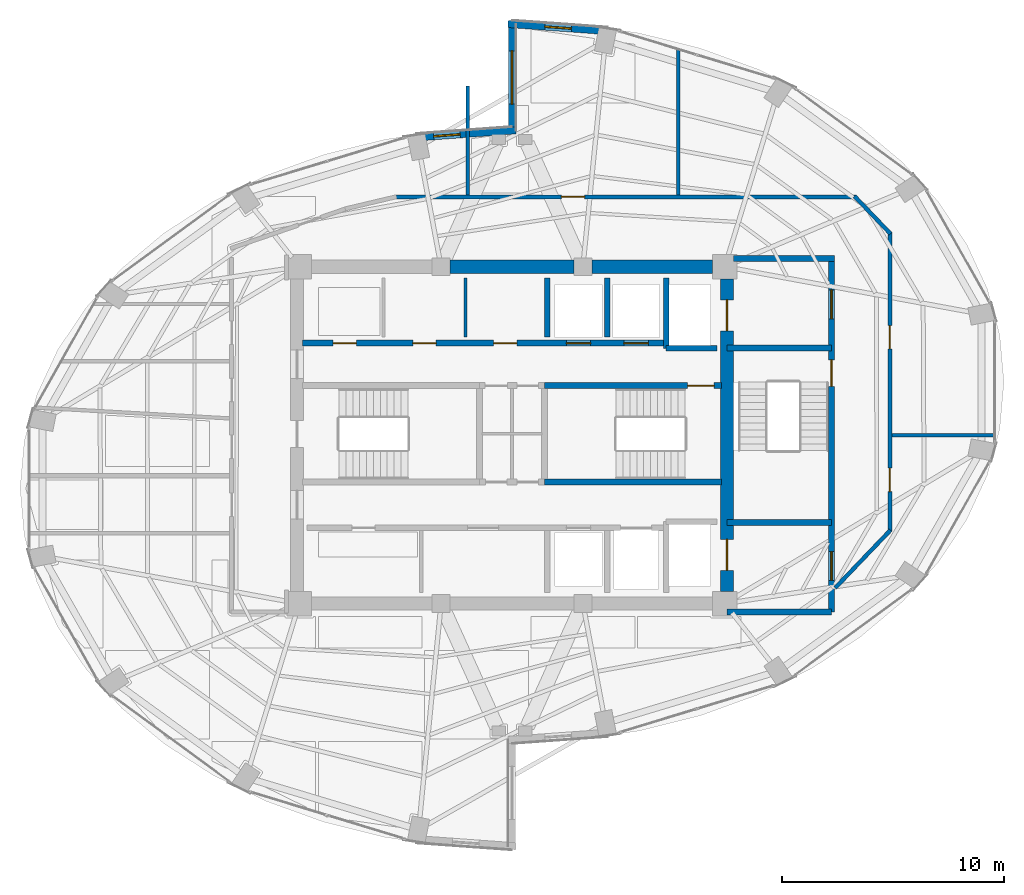
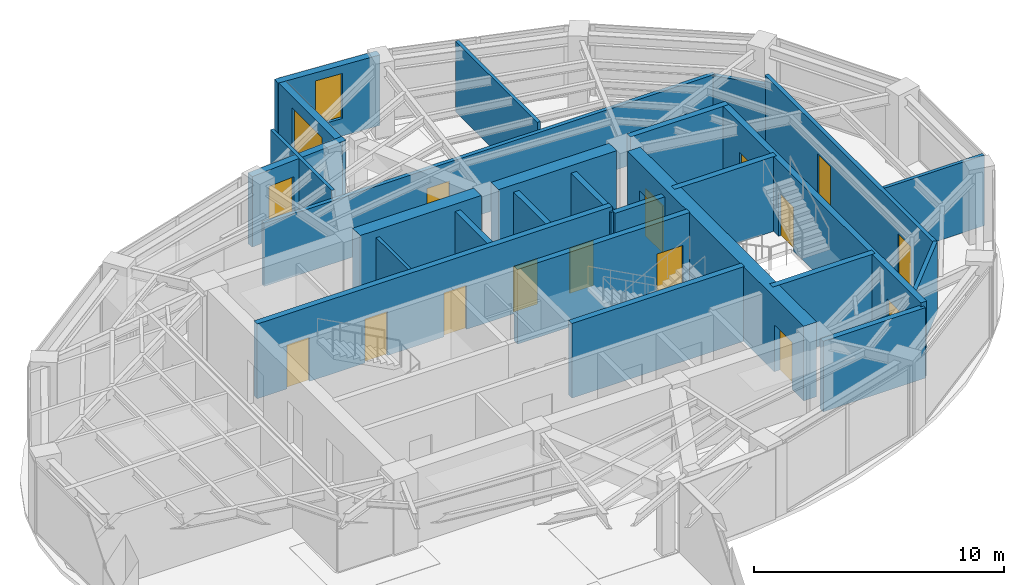
# One storey, part 20 of 23: 26 walls, 14 doors, 3 windows, 17 openings.
"""IFC4 building model written with IfcOpenShell, lengths in metres."""

from ifc_helpers import new_model, si_unit, direction, frame, frame_2d, origin, place, context, subcontext, project, spatial, rectangle, extrude, material, layer, layer_set, type_object, element, fill, save


model = new_model("IFC4")

# Units and contexts
model_context = context("Model", 3, precision=1e-05, world=origin(), true_north=direction((0.0, 1.0)))
body_context = subcontext(model_context, "Body", "Model", "MODEL_VIEW")
ifc_project = project(units=[si_unit("LENGTHUNIT", "METRE"), si_unit("AREAUNIT", "SQUARE_METRE"), si_unit("VOLUMEUNIT", "CUBIC_METRE"), si_unit("PLANEANGLEUNIT", "RADIAN"), si_unit("MASSUNIT", "GRAM", prefix="KILO")], contexts=[model_context])

# Site, building, storey
site_placement = place(None, origin())
site = spatial("IfcSite", under=ifc_project, at=site_placement, CompositionType="ELEMENT")
building_placement = place(site_placement, origin())
building = spatial("IfcBuilding", under=site, at=building_placement, Name="Lazwardi Medical Tower", CompositionType="ELEMENT")
storey_placement = place(building_placement, frame((0.0, 0.0, 213.072021484375)))
storey = spatial("IfcBuildingStorey", under=building, at=storey_placement, Name="L55", CompositionType="ELEMENT", Elevation=213.072021484375)

# Wall, opening, door
ifc_material_1 = material(Name="Fire-rated gypsum board on steel stud", Category="steel")
ifc_layer_1 = layer(ifc_material_1, 0.179931640625)
ifc_layer_set_1 = layer_set([ifc_layer_1], Name="Fire-rated gypsum board on steel stud")
wall_type_1 = type_object("IfcWallType", Name="WL-COR-180", PredefinedType="PARTITIONING", material=ifc_layer_set_1)
wall_1_placement = place(storey_placement, frame((30.709716796875, 38.75, 0.0), z_axis=(0.0, 0.0, 1.0), x_axis=(1.0, 0.0, 0.0)))
wall_1 = element("IfcWall", 1, at=wall_1_placement, inside=storey, type_object=wall_type_1, Name="L55 Corridor partition 3", PredefinedType="PARTITIONING", context=body_context, shape_type="SweptSolid", body=[
    extrude(rectangle(XDim=20.8154296875, YDim=0.179931640625, at=frame_2d((10.40771484375, 0.0))), origin(), (0.0, 0.0, 1.0), 3.072998046875),
])
opening_1_placement = place(wall_1_placement, frame((7.51513671875, 0.0, 0.0)))
opening_1 = element("IfcOpeningElement", 2, at=opening_1_placement, cuts=wall_1, Name="Opening D-L55-018", PredefinedType="OPENING", context=body_context, shape_type="SweptSolid", body=[
    extrude(rectangle(XDim=1.050048828125, YDim=2.14990234375, at=frame_2d((0.52490234375, 1.074951171875))), frame((0.0, 0.099853515625, 0.0), z_axis=(0.0, -1.0, 0.0), x_axis=(1.0, 0.0, 0.0)), (0.0, 0.0, 1.0), 0.199951171875),
])
ifc_material_2 = material(Name="Anti-microbial laminate hospital leaf")
door_type_1 = type_object("IfcDoorType", Name="DR-CLN-1050", OperationType="NOTDEFINED", PredefinedType="DOOR", material=ifc_material_2)
door_1_placement = place(opening_1_placement, origin())
door_1 = element("IfcDoor", 3, at=door_1_placement, inside=storey, type_object=door_type_1, Name="L55 Outpatient Consultation Suite Door 05", OperationType="SINGLE_SWING_LEFT", OverallHeight=2.14990234375, OverallWidth=1.050048828125, PredefinedType="DOOR", context=body_context, shape_type="SweptSolid", body=[
    extrude(rectangle(XDim=1.050048828125, YDim=2.14990234375, at=frame_2d((0.52490234375, 1.074951171875))), frame((0.0, 0.02490234375, 0.0), z_axis=(0.0, -1.0, 0.0), x_axis=(1.0, 0.0, 0.0)), (0.0, 0.0, 1.0), 0.050048828125),
])
fill(opening_1, door_1)

# Wall
wall_2_placement = place(storey_placement, frame((51.45751953125, 38.77880859375, 0.0), z_axis=(0.0, 0.0, 1.0), x_axis=(0.691359830363, -0.722510612352, 0.0)))
element("IfcWall", 4, at=wall_2_placement, inside=storey, type_object=wall_type_1, Name="L55 Corridor partition 4", PredefinedType="PARTITIONING", context=body_context, shape_type="SweptSolid", body=[
    extrude(rectangle(XDim=2.34326171875, YDim=0.179931640625, at=frame_2d((1.171630859375, 0.0))), origin(), (0.0, 0.0, 1.0), 3.032958984375),
])

# Wall, openings, doors
wall_3_placement = place(storey_placement, frame((53.050048828125, 37.154541015625, 0.0), z_axis=(0.0, 0.0, 1.0), x_axis=(0.0, -1.0, 0.0)))
wall_3 = element("IfcWall", 5, at=wall_3_placement, inside=storey, type_object=wall_type_1, Name="L55 Corridor partition 5", PredefinedType="PARTITIONING", context=body_context, shape_type="SweptSolid", body=[
    extrude(rectangle(XDim=13.509033203125, YDim=0.179931640625, at=frame_2d((6.75439453125, 0.0))), origin(), (0.0, 0.0, 1.0), 3.447998046875),
])
opening_2_placement = place(wall_3_placement, frame((10.647705078125, 0.0, 0.0)))
opening_2 = element("IfcOpeningElement", 6, at=opening_2_placement, cuts=wall_3, Name="Opening D-L55-016", PredefinedType="OPENING", context=body_context, shape_type="SweptSolid", body=[
    extrude(rectangle(XDim=1.050048828125, YDim=2.14990234375, at=frame_2d((0.52490234375, 1.074951171875))), frame((0.0, 0.099853515625, 0.0), z_axis=(0.0, -1.0, 0.0), x_axis=(1.0, 0.0, 0.0)), (0.0, 0.0, 1.0), 0.199951171875),
])
opening_3_placement = place(wall_3_placement, frame((4.211181640625, 0.0, 0.0)))
opening_3 = element("IfcOpeningElement", 7, at=opening_3_placement, cuts=wall_3, Name="Opening D-L55-017", PredefinedType="OPENING", context=body_context, shape_type="SweptSolid", body=[
    extrude(rectangle(XDim=1.050048828125, YDim=2.14990234375, at=frame_2d((0.52490234375, 1.074951171875))), frame((0.0, 0.099853515625, 0.0), z_axis=(0.0, -1.0, 0.0), x_axis=(1.0, 0.0, 0.0)), (0.0, 0.0, 1.0), 0.199951171875),
])
door_2_placement = place(opening_2_placement, origin())
door_2 = element("IfcDoor", 8, at=door_2_placement, inside=storey, type_object=door_type_1, Name="L55 Medical Duty Staff Room Door 03", OperationType="SINGLE_SWING_LEFT", OverallHeight=2.14990234375, OverallWidth=1.050048828125, PredefinedType="DOOR", context=body_context, shape_type="SweptSolid", body=[
    extrude(rectangle(XDim=1.050048828125, YDim=2.14990234375, at=frame_2d((0.52490234375, 1.074951171875))), frame((0.0, 0.02490234375, 0.0), z_axis=(0.0, -1.0, 0.0), x_axis=(1.0, 0.0, 0.0)), (0.0, 0.0, 1.0), 0.050048828125),
])
fill(opening_2, door_2)
door_3_placement = place(opening_3_placement, origin())
door_3 = element("IfcDoor", 9, at=door_3_placement, inside=storey, type_object=door_type_1, Name="L55 Clinical Specialist Office Door 04", OperationType="SINGLE_SWING_RIGHT", OverallHeight=2.14990234375, OverallWidth=1.050048828125, PredefinedType="DOOR", context=body_context, shape_type="SweptSolid", body=[
    extrude(rectangle(XDim=1.050048828125, YDim=2.14990234375, at=frame_2d((0.52490234375, 1.074951171875))), frame((0.0, 0.02490234375, 0.0), z_axis=(0.0, -1.0, 0.0), x_axis=(1.0, 0.0, 0.0)), (0.0, 0.0, 1.0), 0.050048828125),
])
fill(opening_3, door_3)

# Wall
wall_4_placement = place(storey_placement, frame((53.07763671875, 23.71435546875, 0.0), z_axis=(0.0, 0.0, 1.0), x_axis=(-0.691353379446, -0.722516785085, 0.0)))
element("IfcWall", 10, at=wall_4_placement, inside=storey, type_object=wall_type_1, Name="L55 Corridor partition 6", PredefinedType="PARTITIONING", context=body_context, shape_type="SweptSolid", body=[
    extrude(rectangle(XDim=3.603759765625, YDim=0.179931640625, at=frame_2d((1.8017578125, 0.0))), origin(), (0.0, 0.0, 1.0), 3.447998046875),
])

# Wall, openings, doors
ifc_material_3 = material(Name="Concrete C60/75", Category="concrete")
ifc_layer_2 = layer(ifc_material_3, 0.60009765625)
ifc_layer_set_2 = layer_set([ifc_layer_2], Name="Concrete C60/75")
wall_type_2 = type_object("IfcWallType", Name="WL-CORE-600", PredefinedType="SHEAR", material=ifc_layer_set_2)
wall_5_placement = place(storey_placement, frame((45.699951171875, 20.949951171875, 0.0), z_axis=(0.0, 0.0, 1.0), x_axis=(0.0, 1.0, 0.0)))
wall_5 = element("IfcWall", 11, at=wall_5_placement, inside=storey, type_object=wall_type_2, Name="Core wall CW-S3 east L55", PredefinedType="SHEAR", context=body_context, shape_type="SweptSolid", body=[
    extrude(rectangle(XDim=14.10009765625, YDim=0.60009765625, at=frame_2d((7.050048828125, 0.0))), origin(), (0.0, 0.0, 1.0), 3.64794921875),
])
opening_4_placement = place(wall_5_placement, frame((11.75, 0.0, 0.0)))
opening_4 = element("IfcOpeningElement", 12, at=opening_4_placement, cuts=wall_5, Name="Opening LD-L55-001", PredefinedType="OPENING", context=body_context, shape_type="SweptSolid", body=[
    extrude(rectangle(XDim=1.39990234375, YDim=2.300048828125, at=frame_2d((0.699951171875, 1.14990234375))), frame((0.0, 0.31005859375, 0.0), z_axis=(0.0, -1.0, 0.0), x_axis=(1.0, 0.0, 0.0)), (0.0, 0.0, 1.0), 0.6201171875),
])
opening_5_placement = place(wall_5_placement, frame((0.949951171875, 0.0, 0.0)))
opening_5 = element("IfcOpeningElement", 13, at=opening_5_placement, cuts=wall_5, Name="Opening LD-L55-002", PredefinedType="OPENING", context=body_context, shape_type="SweptSolid", body=[
    extrude(rectangle(XDim=1.39990234375, YDim=2.300048828125, at=frame_2d((0.699951171875, 1.14990234375))), frame((0.0, 0.31005859375, 0.0), z_axis=(0.0, -1.0, 0.0), x_axis=(1.0, 0.0, 0.0)), (0.0, 0.0, 1.0), 0.6201171875),
])
ifc_material_4 = material(Name="Brushed stainless steel bed-lift landing door", Category="steel")
door_type_2 = type_object("IfcDoorType", Name="DR-LFT-1400", OperationType="NOTDEFINED", PredefinedType="DOOR", material=ifc_material_4)
door_4_placement = place(opening_4_placement, origin())
door_4 = element("IfcDoor", 14, at=door_4_placement, inside=storey, type_object=door_type_2, Name="L55 Lift Landing Door FL-01", OperationType="SLIDING_TO_LEFT", OverallHeight=2.300048828125, OverallWidth=1.39990234375, PredefinedType="DOOR", context=body_context, shape_type="SweptSolid", body=[
    extrude(rectangle(XDim=1.39990234375, YDim=2.300048828125, at=frame_2d((0.699951171875, 1.14990234375))), frame((0.0, 0.02490234375, 0.0), z_axis=(0.0, -1.0, 0.0), x_axis=(1.0, 0.0, 0.0)), (0.0, 0.0, 1.0), 0.050048828125),
])
fill(opening_4, door_4)
door_5_placement = place(opening_5_placement, origin())
door_5 = element("IfcDoor", 15, at=door_5_placement, inside=storey, type_object=door_type_2, Name="L55 Lift Landing Door FL-02", OperationType="SLIDING_TO_LEFT", OverallHeight=2.300048828125, OverallWidth=1.39990234375, PredefinedType="DOOR", context=body_context, shape_type="SweptSolid", body=[
    extrude(rectangle(XDim=1.39990234375, YDim=2.300048828125, at=frame_2d((0.699951171875, 1.14990234375))), frame((0.0, 0.02490234375, 0.0), z_axis=(0.0, -1.0, 0.0), x_axis=(1.0, 0.0, 0.0)), (0.0, 0.0, 1.0), 0.050048828125),
])
fill(opening_5, door_5)

# Walls
wall_6_placement = place(storey_placement, frame((33.199951171875, 35.60009765625, 0.0), z_axis=(0.0, 0.0, 1.0), x_axis=(1.0, 0.0, 0.0)))
element("IfcWall", 16, at=wall_6_placement, inside=storey, type_object=wall_type_2, Name="Core wall CW-S3 N2 L55", PredefinedType="SHEAR", context=body_context, shape_type="SweptSolid", body=[
    extrude(rectangle(XDim=5.60009765625, YDim=0.60009765625, at=frame_2d((2.800048828125, 0.0))), origin(), (0.0, 0.0, 1.0), 3.64794921875),
])
wall_7_placement = place(storey_placement, frame((39.60009765625, 35.60009765625, 0.0), z_axis=(0.0, 0.0, 1.0), x_axis=(1.0, 0.0, 0.0)))
element("IfcWall", 17, at=wall_7_placement, inside=storey, type_object=wall_type_2, Name="Core wall CW-S3 N3 L55", PredefinedType="SHEAR", context=body_context, shape_type="SweptSolid", body=[
    extrude(rectangle(XDim=5.449951171875, YDim=0.60009765625, at=frame_2d((2.72509765625, 0.0))), origin(), (0.0, 0.0, 1.0), 3.64794921875),
])

# Wall, opening, window
ifc_material_5 = material(Name="Precast concrete C45/55", Category="concrete")
ifc_layer_3 = layer(ifc_material_5, 0.320068359375)
ifc_layer_set_3 = layer_set([ifc_layer_3], Name="Precast concrete C45/55")
wall_type_3 = type_object("IfcWallType", Name="WL-IWAN-320", PredefinedType="SOLIDWALL", material=ifc_layer_set_3)
wall_8_placement = place(storey_placement, frame((40.349609375, 46.226318359375, 0.0), z_axis=(0.0, 0.0, 1.0), x_axis=(-0.997409061056, 0.071938619141, 0.0)))
wall_8 = element("IfcWall", 18, at=wall_8_placement, inside=storey, type_object=wall_type_3, Name="L55 Iwan Portal Return Wall NE_ret", PredefinedType="SOLIDWALL", context=body_context, shape_type="SweptSolid", body=[
    extrude(rectangle(XDim=4.540771484375, YDim=0.320068359375, at=frame_2d((2.2705078125, 0.0))), origin(), (0.0, 0.0, 1.0), 3.447998046875),
])
opening_6_placement = place(wall_8_placement, frame((1.67041015625, 0.0, 0.85009765625)))
opening_6 = element("IfcOpeningElement", 19, at=opening_6_placement, cuts=wall_8, Name="Opening WN-01", PredefinedType="OPENING", context=body_context, shape_type="SweptSolid", body=[
    extrude(rectangle(XDim=1.199951171875, YDim=2.199951171875, at=frame_2d((0.60009765625, 1.10009765625))), frame((0.0, 0.169921875, 0.0), z_axis=(0.0, -1.0, 0.0), x_axis=(1.0, 0.0, 0.0)), (0.0, 0.0, 1.0), 0.340087890625),
])
ifc_material_6 = material(Name="Low-e bronze solar control double glazing", Category="glass")
window_type_1 = type_object("IfcWindowType", Name="WIN-IW-1200", PartitioningType="SINGLE_PANEL", PredefinedType="WINDOW", material=ifc_material_6)
window_1_placement = place(opening_6_placement, origin())
window_1 = element("IfcWindow", 20, at=window_1_placement, inside=storey, type_object=window_type_1, Name="L55 Iwan Slot Window NE_ret", OverallHeight=2.199951171875, OverallWidth=1.199951171875, PartitioningType="SINGLE_PANEL", PredefinedType="WINDOW", context=body_context, shape_type="SweptSolid", body=[
    extrude(rectangle(XDim=1.199951171875, YDim=2.199951171875, at=frame_2d((0.60009765625, 1.10009765625))), frame((0.0, 0.030029296875, 0.0), z_axis=(0.0, -1.0, 0.0), x_axis=(1.0, 0.0, 0.0)), (0.0, 0.0, 1.0), 0.06005859375),
])
fill(opening_6, window_1)

wall_9_placement = place(storey_placement, frame((36.17919921875, 41.7529296875, 0.0), z_axis=(0.0, 0.0, 1.0), x_axis=(-0.997408782787, -0.071942477163, 0.0)))
wall_9 = element("IfcWall", 21, at=wall_9_placement, inside=storey, type_object=wall_type_3, Name="L55 Iwan Portal Return Wall NW_ret", PredefinedType="SOLIDWALL", context=body_context, shape_type="SweptSolid", body=[
    extrude(rectangle(XDim=4.54052734375, YDim=0.320068359375, at=frame_2d((2.270263671875, 0.0))), origin(), (0.0, 0.0, 1.0), 3.447998046875),
])
opening_7_placement = place(wall_9_placement, frame((2.52587890625, 0.0, 0.85009765625)))
opening_7 = element("IfcOpeningElement", 22, at=opening_7_placement, cuts=wall_9, Name="Opening WN-04", PredefinedType="OPENING", context=body_context, shape_type="SweptSolid", body=[
    extrude(rectangle(XDim=1.199951171875, YDim=1.800048828125, at=frame_2d((0.60009765625, 0.89990234375))), frame((0.0, 0.169921875, 0.0), z_axis=(0.0, -1.0, 0.0), x_axis=(1.0, 0.0, 0.0)), (0.0, 0.0, 1.0), 0.340087890625),
])
window_type_2 = type_object("IfcWindowType", Name="WIN-DRUM-1200", PartitioningType="SINGLE_PANEL", PredefinedType="WINDOW", material=ifc_material_6)
window_2_placement = place(opening_7_placement, origin())
window_2 = element("IfcWindow", 23, at=window_2_placement, inside=storey, type_object=window_type_2, Name="L55 Iwan Slot Window NW_ret", OverallHeight=1.800048828125, OverallWidth=1.199951171875, PartitioningType="SINGLE_PANEL", PredefinedType="WINDOW", context=body_context, shape_type="SweptSolid", body=[
    extrude(rectangle(XDim=1.199951171875, YDim=1.800048828125, at=frame_2d((0.60009765625, 0.89990234375))), frame((0.0, 0.030029296875, 0.0), z_axis=(0.0, -1.0, 0.0), x_axis=(1.0, 0.0, 0.0)), (0.0, 0.0, 1.0), 0.06005859375),
])
fill(opening_7, window_2)

wall_10_placement = place(storey_placement, frame((36.0, 46.699951171875, 0.0), z_axis=(0.0, 0.0, 1.0), x_axis=(0.0, -1.0, 0.0)))
wall_10 = element("IfcWall", 24, at=wall_10_placement, inside=storey, type_object=wall_type_3, Name="L55 Turquoise Tilework Iwan Seam Wall N_seam", PredefinedType="SOLIDWALL", context=body_context, shape_type="SweptSolid", body=[
    extrude(rectangle(XDim=5.119873046875, YDim=0.320068359375, at=frame_2d((2.56005859375, 0.0))), origin(), (0.0, 0.0, 1.0), 3.447998046875),
])
opening_8_placement = place(wall_10_placement, frame((1.360107421875, 0.0, 0.840087890625)))
opening_8 = element("IfcOpeningElement", 25, at=opening_8_placement, cuts=wall_10, Name="Opening WN-02", PredefinedType="OPENING", context=body_context, shape_type="SweptSolid", body=[
    extrude(rectangle(XDim=2.39990234375, YDim=2.0400390625, at=frame_2d((1.199951171875, 1.02001953125))), frame((0.0, 0.169921875, 0.0), z_axis=(0.0, -1.0, 0.0), x_axis=(1.0, 0.0, 0.0)), (0.0, 0.0, 1.0), 0.340087890625),
])
window_type_3 = type_object("IfcWindowType", Name="WIN-IW-2400", PartitioningType="SINGLE_PANEL", PredefinedType="WINDOW", material=ifc_material_6)
window_3_placement = place(opening_8_placement, origin())
window_3 = element("IfcWindow", 26, at=window_3_placement, inside=storey, type_object=window_type_3, Name="L55 Iwan Seam Window N_seam", OverallHeight=2.0400390625, OverallWidth=2.39990234375, PartitioningType="SINGLE_PANEL", PredefinedType="WINDOW", context=body_context, shape_type="SweptSolid", body=[
    extrude(rectangle(XDim=2.39990234375, YDim=2.0400390625, at=frame_2d((1.199951171875, 1.02001953125))), frame((0.0, 0.030029296875, 0.0), z_axis=(0.0, -1.0, 0.0), x_axis=(1.0, 0.0, 0.0)), (0.0, 0.0, 1.0), 0.06005859375),
])
fill(opening_8, window_3)

# Walls
ifc_material_7 = material(Name="Autoclaved aerated concrete blockwork", Category="masonry")
ifc_layer_4 = layer(ifc_material_7, 0.25)
ifc_layer_set_4 = layer_set([ifc_layer_4], Name="Autoclaved aerated concrete blockwork")
wall_type_4 = type_object("IfcWallType", Name="WL-SHAFT-250", PredefinedType="SOLIDWALL", material=ifc_layer_set_4)
wall_11_placement = place(storey_placement, frame((42.949951171875, 31.919921875, 0.0), z_axis=(0.0, 0.0, 1.0), x_axis=(0.0, 1.0, 0.0)))
element("IfcWall", 27, at=wall_11_placement, inside=storey, type_object=wall_type_4, Name="L55 FL-01 West shaft wall", PredefinedType="SOLIDWALL", context=body_context, shape_type="SweptSolid", body=[
    extrude(rectangle(XDim=3.18017578125, YDim=0.25, at=frame_2d((1.590087890625, 0.0))), origin(), (0.0, 0.0, 1.0), 3.447998046875),
])
wall_12_placement = place(storey_placement, frame((42.949951171875, 31.919921875, 0.0), z_axis=(0.0, 0.0, 1.0), x_axis=(1.0, 0.0, 0.0)))
element("IfcWall", 28, at=wall_12_placement, inside=storey, type_object=wall_type_4, Name="L55 FL-01 South shaft wall", PredefinedType="SOLIDWALL", context=body_context, shape_type="SweptSolid", body=[
    extrude(rectangle(XDim=2.300048828125, YDim=0.25, at=frame_2d((1.14990234375, 0.0))), origin(), (0.0, 0.0, 1.0), 3.447998046875),
])
for number, where, z_axis, x_axis, name in (
    (29, (37.60009765625, 32.419921875, 0.0), (0.0, 0.0, 1.0), (0.0, 1.0, 0.0), "L55 North hoistway divider"),
    (30, (40.300048828125, 32.419921875, 0.0), (0.0, 0.0, 1.0), (0.0, 1.0, 0.0), "L55 North hoistway divider"),
):
    element("IfcWall", number, at=place(storey_placement, frame(where, z_axis=z_axis, x_axis=x_axis)), inside=storey, type_object=wall_type_4, Name=name, PredefinedType="SOLIDWALL", context=body_context, shape_type="SweptSolid", body=[
        extrude(rectangle(XDim=2.68017578125, YDim=0.25, at=frame_2d((1.340087890625, 0.0))), origin(), (0.0, 0.0, 1.0), 3.447998046875),
    ])
wall_13_placement = place(storey_placement, frame((45.699951171875, 20.02001953125, 0.0), z_axis=(0.0, 0.0, 1.0), x_axis=(1.0, 0.0, 0.0)))
element("IfcWall", 31, at=wall_13_placement, inside=storey, type_object=wall_type_4, Name="L55 FFL-S South wall", PredefinedType="SOLIDWALL", context=body_context, shape_type="SweptSolid", body=[
    extrude(rectangle(XDim=4.715087890625, YDim=0.25, at=frame_2d((2.357421875, 0.0))), origin(), (0.0, 0.0, 1.0), 3.447998046875),
])

# Wall, opening, door
ifc_material_8 = material(Name="Concrete C50/60", Category="concrete")
ifc_layer_5 = layer(ifc_material_8, 0.27001953125)
ifc_layer_set_5 = layer_set([ifc_layer_5], Name="Concrete C50/60")
wall_type_5 = type_object("IfcWallType", Name="WL-STR-250", PredefinedType="SHEAR", material=ifc_layer_set_5)
wall_14_placement = place(storey_placement, frame((37.465087890625, 30.235107421875, 0.0), z_axis=(0.0, 0.0, 1.0), x_axis=(1.0, 0.0, 0.0)))
wall_14 = element("IfcWall", 32, at=wall_14_placement, inside=storey, type_object=wall_type_5, Name="L55 ST2 North shear shaft wall SW-S1", PredefinedType="SHEAR", context=body_context, shape_type="SweptSolid", body=[
    extrude(rectangle(XDim=7.98486328125, YDim=0.27001953125, at=frame_2d((3.992431640625, 0.0))), origin(), (0.0, 0.0, 1.0), 3.64794921875),
])
opening_9_placement = place(wall_14_placement, frame((6.455078125, 0.0, 0.0)))
opening_9 = element("IfcOpeningElement", 33, at=opening_9_placement, cuts=wall_14, Name="Opening D-L55-023", PredefinedType="OPENING", context=body_context, shape_type="SweptSolid", body=[
    extrude(rectangle(XDim=1.199951171875, YDim=2.14990234375, at=frame_2d((0.60009765625, 1.074951171875))), frame((0.0, 0.14501953125, 0.0), z_axis=(0.0, -1.0, 0.0), x_axis=(1.0, 0.0, 0.0)), (0.0, 0.0, 1.0), 0.2900390625),
])
ifc_material_9 = material(Name="Fire-rated steel leaf and frame", Category="steel")
door_type_3 = type_object("IfcDoorType", Name="DR-STR-1200", OperationType="NOTDEFINED", PredefinedType="DOOR", material=ifc_material_9)
door_6_placement = place(opening_9_placement, origin())
door_6 = element("IfcDoor", 34, at=door_6_placement, inside=storey, type_object=door_type_3, Name="L55 Exit Stair ST2 Door", OperationType="SINGLE_SWING_RIGHT", OverallHeight=2.14990234375, OverallWidth=1.199951171875, PredefinedType="DOOR", context=body_context, shape_type="SweptSolid", body=[
    extrude(rectangle(XDim=1.199951171875, YDim=2.14990234375, at=frame_2d((0.60009765625, 1.074951171875))), frame((0.0, 0.02490234375, 0.0), z_axis=(0.0, -1.0, 0.0), x_axis=(1.0, 0.0, 0.0)), (0.0, 0.0, 1.0), 0.050048828125),
])
fill(opening_9, door_6)

# Wall
wall_15_placement = place(storey_placement, frame((37.465087890625, 25.885009765625, 0.0), z_axis=(0.0, 0.0, 1.0), x_axis=(1.0, 0.0, 0.0)))
element("IfcWall", 35, at=wall_15_placement, inside=storey, type_object=wall_type_5, Name="L55 ST2 South shear shaft wall SW-S1", PredefinedType="SHEAR", context=body_context, shape_type="SweptSolid", body=[
    extrude(rectangle(XDim=7.98486328125, YDim=0.27001953125, at=frame_2d((3.992431640625, 0.0))), origin(), (0.0, 0.0, 1.0), 3.64794921875),
])

# Wall, openings, doors
wall_16_placement = place(storey_placement, frame((26.550048828125, 32.14990234375, 0.0), z_axis=(0.0, 0.0, 1.0), x_axis=(1.0, 0.0, 0.0)))
wall_16 = element("IfcWall", 36, at=wall_16_placement, inside=storey, type_object=wall_type_5, Name="L55 North lift bank shear wall SW-S1", PredefinedType="SHEAR", context=body_context, shape_type="SweptSolid", body=[
    extrude(rectangle(XDim=16.39990234375, YDim=0.27001953125, at=frame_2d((8.199951171875, 0.0))), origin(), (0.0, 0.0, 1.0), 3.64794921875),
])
opening_10_placement = place(wall_16_placement, frame((1.375, 0.0, 0.0)))
opening_10 = element("IfcOpeningElement", 37, at=opening_10_placement, cuts=wall_16, Name="Opening D-L55-005", PredefinedType="OPENING", context=body_context, shape_type="SweptSolid", body=[
    extrude(rectangle(XDim=1.050048828125, YDim=2.14990234375, at=frame_2d((0.52490234375, 1.074951171875))), frame((0.0, 0.14501953125, 0.0), z_axis=(0.0, -1.0, 0.0), x_axis=(1.0, 0.0, 0.0)), (0.0, 0.0, 1.0), 0.2900390625),
])
opening_11_placement = place(wall_16_placement, frame((4.97509765625, 0.0, 0.0)))
opening_11 = element("IfcOpeningElement", 38, at=opening_11_placement, cuts=wall_16, Name="Opening D-L55-006", PredefinedType="OPENING", context=body_context, shape_type="SweptSolid", body=[
    extrude(rectangle(XDim=1.050048828125, YDim=2.14990234375, at=frame_2d((0.52490234375, 1.074951171875))), frame((0.0, 0.14501953125, 0.0), z_axis=(0.0, -1.0, 0.0), x_axis=(1.0, 0.0, 0.0)), (0.0, 0.0, 1.0), 0.2900390625),
])
opening_12_placement = place(wall_16_placement, frame((8.625, 0.0, 0.0)))
opening_12 = element("IfcOpeningElement", 39, at=opening_12_placement, cuts=wall_16, Name="Opening D-L55-007", PredefinedType="OPENING", context=body_context, shape_type="SweptSolid", body=[
    extrude(rectangle(XDim=1.050048828125, YDim=2.14990234375, at=frame_2d((0.52490234375, 1.074951171875))), frame((0.0, 0.14501953125, 0.0), z_axis=(0.0, -1.0, 0.0), x_axis=(1.0, 0.0, 0.0)), (0.0, 0.0, 1.0), 0.2900390625),
])
opening_13_placement = place(wall_16_placement, frame((11.89990234375, 0.0, 0.0)))
opening_13 = element("IfcOpeningElement", 40, at=opening_13_placement, cuts=wall_16, Name="Opening LD-L55-004", PredefinedType="OPENING", context=body_context, shape_type="SweptSolid", body=[
    extrude(rectangle(XDim=1.10009765625, YDim=2.199951171875, at=frame_2d((0.550048828125, 1.10009765625))), frame((0.0, 0.14501953125, 0.0), z_axis=(0.0, -1.0, 0.0), x_axis=(1.0, 0.0, 0.0)), (0.0, 0.0, 1.0), 0.2900390625),
])
opening_14_placement = place(wall_16_placement, frame((14.5, 0.0, 0.0)))
opening_14 = element("IfcOpeningElement", 41, at=opening_14_placement, cuts=wall_16, Name="Opening LD-L55-005", PredefinedType="OPENING", context=body_context, shape_type="SweptSolid", body=[
    extrude(rectangle(XDim=1.10009765625, YDim=2.199951171875, at=frame_2d((0.550048828125, 1.10009765625))), frame((0.0, 0.14501953125, 0.0), z_axis=(0.0, -1.0, 0.0), x_axis=(1.0, 0.0, 0.0)), (0.0, 0.0, 1.0), 0.2900390625),
])
door_7_placement = place(opening_10_placement, origin())
door_7 = element("IfcDoor", 42, at=door_7_placement, inside=storey, type_object=door_type_1, Name="L55 Pantry Door", OperationType="SINGLE_SWING_LEFT", OverallHeight=2.14990234375, OverallWidth=1.050048828125, PredefinedType="DOOR", context=body_context, shape_type="SweptSolid", body=[
    extrude(rectangle(XDim=1.050048828125, YDim=2.14990234375, at=frame_2d((0.52490234375, 1.074951171875))), frame((0.0, 0.02490234375, 0.0), z_axis=(0.0, -1.0, 0.0), x_axis=(1.0, 0.0, 0.0)), (0.0, 0.0, 1.0), 0.050048828125),
])
fill(opening_10, door_7)
door_8_placement = place(opening_11_placement, origin())
door_8 = element("IfcDoor", 43, at=door_8_placement, inside=storey, type_object=door_type_1, Name="L55 Pharmacy Door", OperationType="SINGLE_SWING_RIGHT", OverallHeight=2.14990234375, OverallWidth=1.050048828125, PredefinedType="DOOR", context=body_context, shape_type="SweptSolid", body=[
    extrude(rectangle(XDim=1.050048828125, YDim=2.14990234375, at=frame_2d((0.52490234375, 1.074951171875))), frame((0.0, 0.02490234375, 0.0), z_axis=(0.0, -1.0, 0.0), x_axis=(1.0, 0.0, 0.0)), (0.0, 0.0, 1.0), 0.050048828125),
])
fill(opening_11, door_8)
door_9_placement = place(opening_12_placement, origin())
door_9 = element("IfcDoor", 44, at=door_9_placement, inside=storey, type_object=door_type_1, Name="L55 Consult Door", OperationType="SINGLE_SWING_LEFT", OverallHeight=2.14990234375, OverallWidth=1.050048828125, PredefinedType="DOOR", context=body_context, shape_type="SweptSolid", body=[
    extrude(rectangle(XDim=1.050048828125, YDim=2.14990234375, at=frame_2d((0.52490234375, 1.074951171875))), frame((0.0, 0.02490234375, 0.0), z_axis=(0.0, -1.0, 0.0), x_axis=(1.0, 0.0, 0.0)), (0.0, 0.0, 1.0), 0.050048828125),
])
fill(opening_12, door_9)
ifc_material_10 = material(Name="Brushed bronze stainless steel landing door", Category="steel")
door_type_4 = type_object("IfcDoorType", Name="DR-LFT-1100", OperationType="NOTDEFINED", PredefinedType="DOOR", material=ifc_material_10)
door_10_placement = place(opening_13_placement, origin())
door_10 = element("IfcDoor", 45, at=door_10_placement, inside=storey, type_object=door_type_4, Name="L55 Lift Landing Door PL-09", OperationType="SLIDING_TO_LEFT", OverallHeight=2.199951171875, OverallWidth=1.10009765625, PredefinedType="DOOR", context=body_context, shape_type="SweptSolid", body=[
    extrude(rectangle(XDim=1.10009765625, YDim=2.199951171875, at=frame_2d((0.550048828125, 1.10009765625))), frame((0.0, 0.02490234375, 0.0), z_axis=(0.0, -1.0, 0.0), x_axis=(1.0, 0.0, 0.0)), (0.0, 0.0, 1.0), 0.050048828125),
])
fill(opening_13, door_10)
door_11_placement = place(opening_14_placement, origin())
door_11 = element("IfcDoor", 46, at=door_11_placement, inside=storey, type_object=door_type_4, Name="L55 Lift Landing Door PL-10", OperationType="SLIDING_TO_LEFT", OverallHeight=2.199951171875, OverallWidth=1.10009765625, PredefinedType="DOOR", context=body_context, shape_type="SweptSolid", body=[
    extrude(rectangle(XDim=1.10009765625, YDim=2.199951171875, at=frame_2d((0.550048828125, 1.10009765625))), frame((0.0, 0.02490234375, 0.0), z_axis=(0.0, -1.0, 0.0), x_axis=(1.0, 0.0, 0.0)), (0.0, 0.0, 1.0), 0.050048828125),
])
fill(opening_14, door_11)

wall_17_placement = place(storey_placement, frame((50.4150390625, 35.844970703125, 0.0), z_axis=(0.0, 0.0, 1.0), x_axis=(0.0, -1.0, 0.0)))
wall_17 = element("IfcWall", 47, at=wall_17_placement, inside=storey, type_object=wall_type_5, Name="L55 East ST3 & FFL shear wall SW-S1", PredefinedType="SHEAR", context=body_context, shape_type="SweptSolid", body=[
    extrude(rectangle(XDim=15.824951171875, YDim=0.27001953125, at=frame_2d((7.91259765625, 0.0))), origin(), (0.0, 0.0, 1.0), 3.64794921875),
])
opening_15_placement = place(wall_17_placement, frame((4.445068359375, 0.0, 0.0)))
opening_15 = element("IfcOpeningElement", 48, at=opening_15_placement, cuts=wall_17, Name="Opening D-L55-024", PredefinedType="OPENING", context=body_context, shape_type="SweptSolid", body=[
    extrude(rectangle(XDim=1.199951171875, YDim=2.14990234375, at=frame_2d((0.60009765625, 1.074951171875))), frame((0.0, 0.14501953125, 0.0), z_axis=(0.0, -1.0, 0.0), x_axis=(1.0, 0.0, 0.0)), (0.0, 0.0, 1.0), 0.2900390625),
])
opening_16_placement = place(wall_17_placement, frame((1.294921875, 0.0, 0.0)))
opening_16 = element("IfcOpeningElement", 49, at=opening_16_placement, cuts=wall_17, Name="Opening D-L55-010", PredefinedType="OPENING", context=body_context, shape_type="SweptSolid", body=[
    extrude(rectangle(XDim=1.300048828125, YDim=2.199951171875, at=frame_2d((0.64990234375, 1.10009765625))), frame((0.0, 0.14501953125, 0.0), z_axis=(0.0, -1.0, 0.0), x_axis=(1.0, 0.0, 0.0)), (0.0, 0.0, 1.0), 0.2900390625),
])
opening_17_placement = place(wall_17_placement, frame((13.094970703125, 0.0, 0.0)))
opening_17 = element("IfcOpeningElement", 50, at=opening_17_placement, cuts=wall_17, Name="Opening D-L55-011", PredefinedType="OPENING", context=body_context, shape_type="SweptSolid", body=[
    extrude(rectangle(XDim=1.300048828125, YDim=2.199951171875, at=frame_2d((0.64990234375, 1.10009765625))), frame((0.0, 0.14501953125, 0.0), z_axis=(0.0, -1.0, 0.0), x_axis=(1.0, 0.0, 0.0)), (0.0, 0.0, 1.0), 0.2900390625),
])
door_type_5 = type_object("IfcDoorType", Name="DR-FFL-1300", OperationType="NOTDEFINED", PredefinedType="DOOR", material=ifc_material_9)
door_12_placement = place(opening_16_placement, origin())
door_12 = element("IfcDoor", 51, at=door_12_placement, inside=storey, type_object=door_type_5, Name="L55 Fire-Fighting Lobby North Door", OperationType="SINGLE_SWING_LEFT", OverallHeight=2.199951171875, OverallWidth=1.300048828125, PredefinedType="DOOR", context=body_context, shape_type="SweptSolid", body=[
    extrude(rectangle(XDim=1.300048828125, YDim=2.199951171875, at=frame_2d((0.64990234375, 1.10009765625))), frame((0.0, 0.02490234375, 0.0), z_axis=(0.0, -1.0, 0.0), x_axis=(1.0, 0.0, 0.0)), (0.0, 0.0, 1.0), 0.050048828125),
])
fill(opening_16, door_12)
door_13_placement = place(opening_17_placement, origin())
door_13 = element("IfcDoor", 52, at=door_13_placement, inside=storey, type_object=door_type_5, Name="L55 Fire-Fighting Lobby South Door", OperationType="SINGLE_SWING_RIGHT", OverallHeight=2.199951171875, OverallWidth=1.300048828125, PredefinedType="DOOR", context=body_context, shape_type="SweptSolid", body=[
    extrude(rectangle(XDim=1.300048828125, YDim=2.199951171875, at=frame_2d((0.64990234375, 1.10009765625))), frame((0.0, 0.02490234375, 0.0), z_axis=(0.0, -1.0, 0.0), x_axis=(1.0, 0.0, 0.0)), (0.0, 0.0, 1.0), 0.050048828125),
])
fill(opening_17, door_13)
door_14_placement = place(opening_15_placement, origin())
door_14 = element("IfcDoor", 53, at=door_14_placement, inside=storey, type_object=door_type_3, Name="L55 Exit Stair ST3 Door", OperationType="SINGLE_SWING_RIGHT", OverallHeight=2.14990234375, OverallWidth=1.199951171875, PredefinedType="DOOR", context=body_context, shape_type="SweptSolid", body=[
    extrude(rectangle(XDim=1.199951171875, YDim=2.14990234375, at=frame_2d((0.60009765625, 1.074951171875))), frame((0.0, 0.02490234375, 0.0), z_axis=(0.0, -1.0, 0.0), x_axis=(1.0, 0.0, 0.0)), (0.0, 0.0, 1.0), 0.050048828125),
])
fill(opening_15, door_14)

# Walls
wall_18_placement = place(storey_placement, frame((46.0, 35.97998046875, 0.0), z_axis=(0.0, 0.0, 1.0), x_axis=(1.0, 0.0, 0.0)))
element("IfcWall", 54, at=wall_18_placement, inside=storey, type_object=wall_type_5, Name="L55 FFL-N North shear wall SW-S1", PredefinedType="SHEAR", context=body_context, shape_type="SweptSolid", body=[
    extrude(rectangle(XDim=4.550048828125, YDim=0.27001953125, at=frame_2d((2.27490234375, 0.0))), origin(), (0.0, 0.0, 1.0), 3.64794921875),
])
for number, where, z_axis, x_axis, name in (
    (55, (45.699951171875, 31.93505859375, 0.0), (0.0, 0.0, 1.0), (1.0, 0.0, 0.0), "L55 ST3 North shear shaft wall SW-S1"),
    (56, (45.699951171875, 24.06494140625, 0.0), (0.0, 0.0, 1.0), (1.0, 0.0, 0.0), "L55 ST3 South shear shaft wall SW-S1"),
):
    element("IfcWall", number, at=place(storey_placement, frame(where, z_axis=z_axis, x_axis=x_axis)), inside=storey, type_object=wall_type_5, Name=name, PredefinedType="SHEAR", context=body_context, shape_type="SweptSolid", body=[
        extrude(rectangle(XDim=4.715087890625, YDim=0.27001953125, at=frame_2d((2.357421875, 0.0))), origin(), (0.0, 0.0, 1.0), 3.64794921875),
    ])
ifc_material_11 = material(Name="Acoustic gypsum board partition")
ifc_layer_6 = layer(ifc_material_11, 0.14990234375)
ifc_layer_set_6 = layer_set([ifc_layer_6], Name="Acoustic gypsum board partition")
wall_type_6 = type_object("IfcWallType", Name="WL-WRD-150", PredefinedType="PARTITIONING", material=ifc_layer_set_6)
wall_19_placement = place(storey_placement, frame((33.89990234375, 32.419921875, 0.0), z_axis=(0.0, 0.0, 1.0), x_axis=(0.0, 1.0, 0.0)))
element("IfcWall", 57, at=wall_19_placement, inside=storey, type_object=wall_type_6, Name="L55 Freed bay2 N split B", PredefinedType="PARTITIONING", context=body_context, shape_type="SweptSolid", body=[
    extrude(rectangle(XDim=2.68017578125, YDim=0.14990234375, at=frame_2d((1.340087890625, 0.0))), origin(), (0.0, 0.0, 1.0), 3.447998046875),
])
wall_20_placement = place(storey_placement, frame((53.139892578125, 28.0, 0.0), z_axis=(0.0, 0.0, 1.0), x_axis=(1.0, 0.0, 0.0)))
element("IfcWall", 58, at=wall_20_placement, inside=storey, type_object=wall_type_6, Name="L55 Room partition 6", PredefinedType="PARTITIONING", context=body_context, shape_type="SweptSolid", body=[
    extrude(rectangle(XDim=4.6318359375, YDim=0.14990234375, at=frame_2d((2.31591796875, 0.0))), origin(), (0.0, 0.0, 1.0), 3.447998046875),
])
wall_21_placement = place(storey_placement, frame((34.0, 38.840087890625, 0.0), z_axis=(0.0, 0.0, 1.0), x_axis=(0.0, 1.0, 0.0)))
element("IfcWall", 59, at=wall_21_placement, inside=storey, type_object=wall_type_6, Name="L55 Room partition 7", PredefinedType="PARTITIONING", context=body_context, shape_type="SweptSolid", body=[
    extrude(rectangle(XDim=4.904052734375, YDim=0.14990234375, at=frame_2d((2.4521484375, 0.0))), origin(), (0.0, 0.0, 1.0), 3.447998046875),
])
wall_22_placement = place(storey_placement, frame((43.5, 38.840087890625, 0.0), z_axis=(0.0, 0.0, 1.0), x_axis=(0.0, 1.0, 0.0)))
element("IfcWall", 60, at=wall_22_placement, inside=storey, type_object=wall_type_6, Name="L55 Room partition 8", PredefinedType="PARTITIONING", context=body_context, shape_type="SweptSolid", body=[
    extrude(rectangle(XDim=6.55224609375, YDim=0.14990234375, at=frame_2d((3.276123046875, 0.0))), origin(), (0.0, 0.0, 1.0), 3.447998046875),
])

save(model, "model.ifc")
